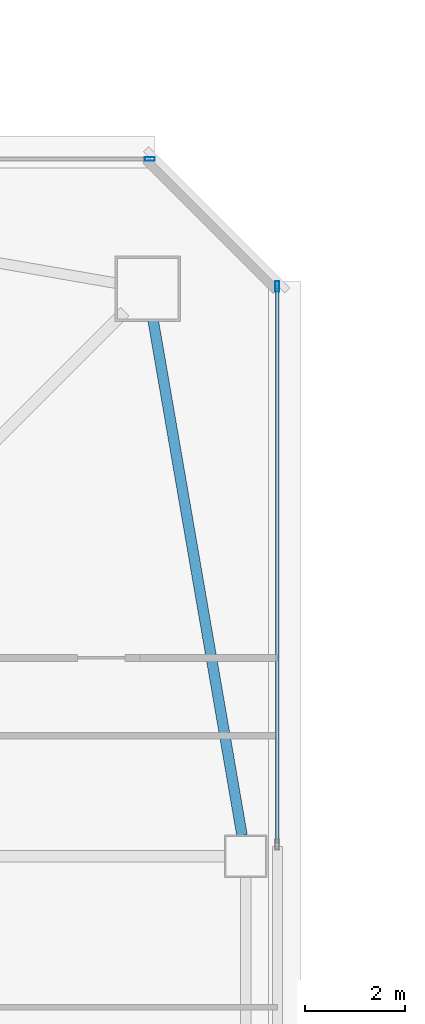
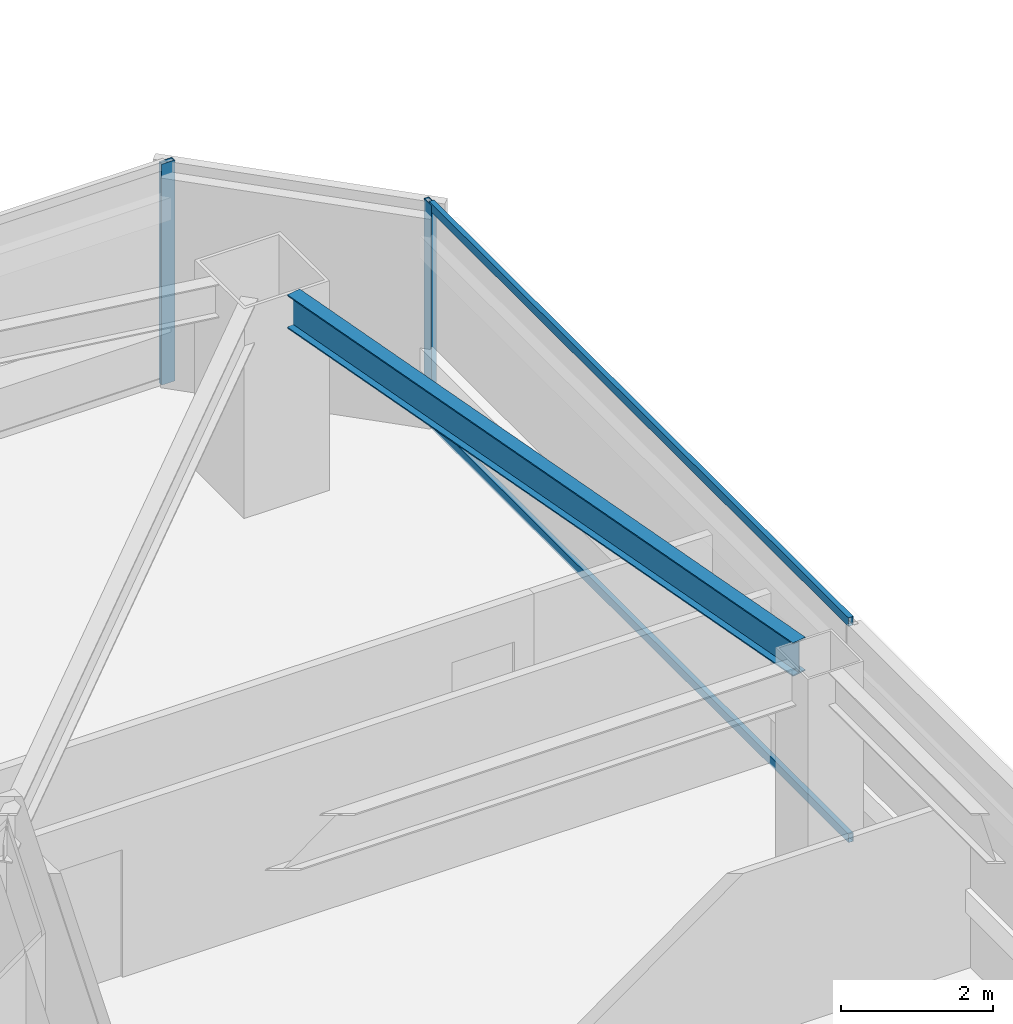
# One storey, part 15 of 41: 4 members, 1 beam, 2 elements without a shape of their own.
"""IFC4 building model written with IfcOpenShell, lengths in metres."""

from ifc_helpers import new_model, si_unit, direction, frame, origin, origin_2d, place, context, subcontext, project, spatial, hollow_rectangle, i_section, extrude, material, material_profile, profile_set, type_object, element, aggregate, save


model = new_model("IFC4")

# Units and contexts
model_context = context("Model", 3, precision=1e-05, world=origin(), true_north=direction((0.0, 1.0)))
body_context = subcontext(model_context, "Body", "Model", "MODEL_VIEW")
ifc_project = project(units=[si_unit("LENGTHUNIT", "METRE"), si_unit("AREAUNIT", "SQUARE_METRE"), si_unit("VOLUMEUNIT", "CUBIC_METRE"), si_unit("PLANEANGLEUNIT", "RADIAN"), si_unit("MASSUNIT", "GRAM", prefix="KILO")], contexts=[model_context])

# Site, building, storey
site_placement = place(None, origin())
site = spatial("IfcSite", under=ifc_project, at=site_placement, CompositionType="ELEMENT")
building_placement = place(site_placement, origin())
building = spatial("IfcBuilding", under=site, at=building_placement, Name="Tashvorn Skyway Center", CompositionType="ELEMENT")
storey_placement = place(building_placement, frame((0.0, 0.0, 117.949951171875)))
storey = spatial("IfcBuildingStorey", under=building, at=storey_placement, Name="L31", CompositionType="ELEMENT", Elevation=117.949951171875)

# Beam
ifc_material_1 = material(Name="Steel ASTM A992 Grade 50", Category="steel")
ifc_material_profile_1 = material_profile(ifc_material_1, i_section(OverallWidth=0.2109375, OverallDepth=0.5390625, WebThickness=0.01171875, FlangeThickness=0.018798828125, at=origin_2d()), Name="W21X73")
ifc_profile_set_1 = profile_set([ifc_material_profile_1], Name="Steel ASTM A992 Grade 50")
beam_type = type_object("IfcBeamType", Name="BM-SPANDREL-W21X73", PredefinedType="SPANDREL", material=ifc_profile_set_1)
beam_placement = place(storey_placement, frame((60.57861328125, 37.81396484375, 3.1005859375), z_axis=(-0.170067250846, 0.985432458462, 0.0), x_axis=(-0.985432458462, -0.170067250846, 0.0)))
element("IfcBeam", 1, at=beam_placement, inside=storey, type_object=beam_type, Name="Tower 1 L31 Spandrel Beam 06", PredefinedType="SPANDREL", context=body_context, shape_type="SweptSolid", body=[
    extrude(i_section(OverallWidth=0.2109375, OverallDepth=0.5390625, WebThickness=0.01171875, FlangeThickness=0.018798828125, at=origin_2d()), origin(), (0.0, 0.0, 1.0), 10.402099609375),
])

# Curtain wall, member
ifc_material_2 = material(Name="Thermally broken bronze-anodized aluminium 6063-T6", Category="aluminium")
curtain_wall_type = type_object("IfcCurtainWallType", Name="CW-CW-Z3", PredefinedType="NOTDEFINED", material=ifc_material_2)
curtain_wall_1_placement = place(storey_placement, origin())
curtain_wall_1 = element("IfcCurtainWall", 2, at=curtain_wall_1_placement, inside=storey, type_object=curtain_wall_type, Name="Tower 1 L31 North Unitised Curtain Wall Glazing Group 2", PredefinedType="NOTDEFINED")
ifc_material_profile_2 = material_profile(ifc_material_2, hollow_rectangle(XDim=0.074951171875, YDim=0.199951171875, WallThickness=0.00439453125, at=origin_2d()), Name="ALU-MULL-75x200")
ifc_profile_set_2 = profile_set([ifc_material_profile_2], Name="Thermally broken bronze-anodized aluminium 6063-T6")
member_type_1 = type_object("IfcMemberType", Name="CWM-CW-Z3", PredefinedType="MULLION", material=ifc_profile_set_2)
member_1_placement = place(storey_placement, frame((58.742431640625, 51.280029296875, 0.0), z_axis=(0.0, 0.0, 1.0), x_axis=(0.0, 1.0, 0.0)))
member_1 = element("IfcMember", 3, at=member_1_placement, type_object=member_type_1, Name="CW-Z3 mullion 2", PredefinedType="MULLION", context=body_context, shape_type="SweptSolid", body=[
    extrude(hollow_rectangle(XDim=0.074951171875, YDim=0.199951171875, WallThickness=0.00439453125, at=origin_2d()), origin(), (0.0, 0.0, 1.0), 3.550048828125),
])
aggregate(curtain_wall_1, [member_1])

# Curtain wall, members
curtain_wall_2_placement = place(storey_placement, origin())
curtain_wall_2 = element("IfcCurtainWall", 4, at=curtain_wall_2_placement, inside=storey, type_object=curtain_wall_type, Name="Tower 1 L31 East Unitised Curtain Wall Glazing Group 1", PredefinedType="NOTDEFINED")
member_2_placement = place(storey_placement, frame((61.280029296875, 48.742431640625, 0.0), z_axis=(0.0, 0.0, 1.0), x_axis=(1.0, 0.0, 0.0)))
member_2 = element("IfcMember", 5, at=member_2_placement, type_object=member_type_1, Name="CW-Z3 mullion 1", PredefinedType="MULLION", context=body_context, shape_type="SweptSolid", body=[
    extrude(hollow_rectangle(XDim=0.074951171875, YDim=0.199951171875, WallThickness=0.00439453125, at=origin_2d()), origin(), (0.0, 0.0, 1.0), 3.550048828125),
])
ifc_material_profile_3 = material_profile(ifc_material_2, hollow_rectangle(XDim=0.074951171875, YDim=0.139892578125, WallThickness=0.004150390625, at=origin_2d()), Name="ALU-TRAN-75x140")
ifc_profile_set_3 = profile_set([ifc_material_profile_3], Name="Thermally broken bronze-anodized aluminium 6063-T6")
member_type_2 = type_object("IfcMemberType", Name="CWT-CW-Z3", PredefinedType="USERDEFINED", material=ifc_profile_set_3)
member_3_placement = place(storey_placement, frame((61.280029296875, 48.705078125, 0.03759765625), z_axis=(0.0, -1.0, 0.0), x_axis=(1.0, 0.0, 0.0)))
member_3 = element("IfcMember", 6, at=member_3_placement, type_object=member_type_2, Name="CW-Z3 transom 1.1", ObjectType="TRANSOM", PredefinedType="USERDEFINED", context=body_context, shape_type="SweptSolid", body=[
    extrude(hollow_rectangle(XDim=0.074951171875, YDim=0.139892578125, WallThickness=0.004150390625, at=origin_2d()), origin(), (0.0, 0.0, 1.0), 11.036865234375),
])
member_4_placement = place(storey_placement, frame((61.280029296875, 48.705078125, 3.512451171875), z_axis=(0.0, -1.0, 0.0), x_axis=(1.0, 0.0, 0.0)))
member_4 = element("IfcMember", 7, at=member_4_placement, type_object=member_type_2, Name="CW-Z3 transom 1.2", ObjectType="TRANSOM", PredefinedType="USERDEFINED", context=body_context, shape_type="SweptSolid", body=[
    extrude(hollow_rectangle(XDim=0.074951171875, YDim=0.139892578125, WallThickness=0.004150390625, at=origin_2d()), origin(), (0.0, 0.0, 1.0), 11.036865234375),
])
aggregate(curtain_wall_2, [member_2, member_3, member_4])

save(model, "model.ifc")
